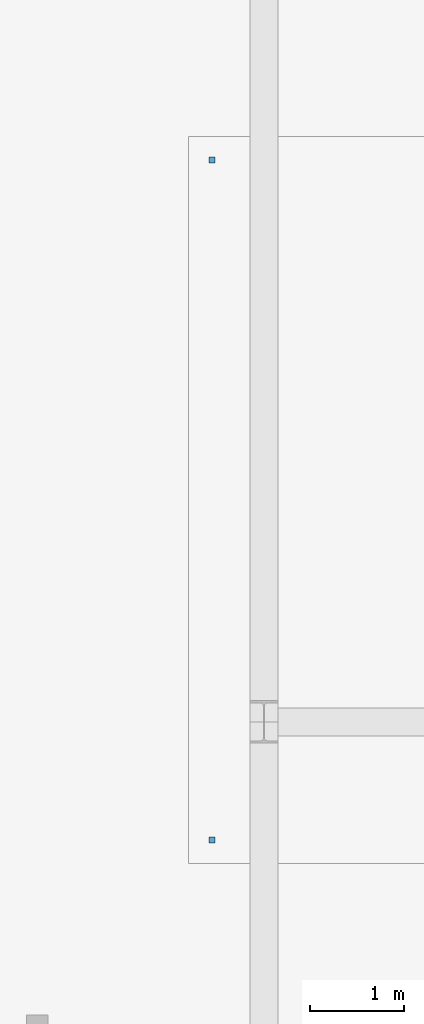
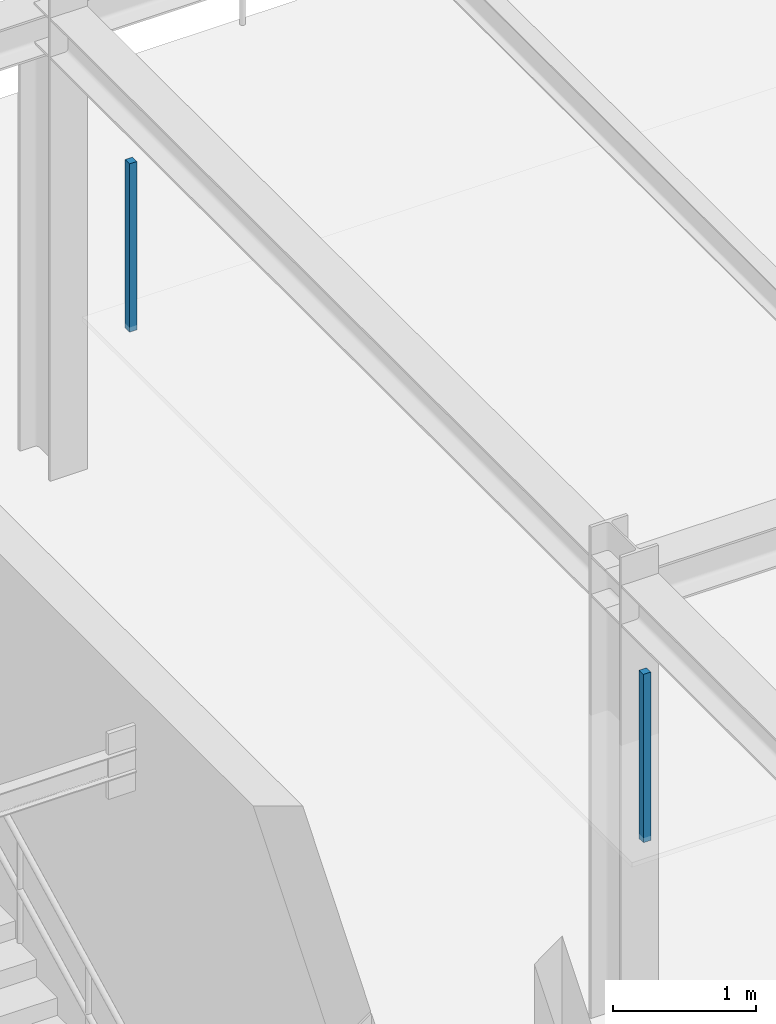
# One storey, part 93 of 124: 2 discrete accessories.
"""IFC4 building model written with IfcOpenShell, lengths in metres."""

from ifc_helpers import new_model, si_unit, direction, frame, origin, origin_2d, place, context, subcontext, project, spatial, rectangle, extrude, material, type_object, element, save


model = new_model("IFC4")

# Units and contexts
model_context = context("Model", 3, precision=1e-05, world=origin(), true_north=direction((0.0, 1.0)))
body_context = subcontext(model_context, "Body", "Model", "MODEL_VIEW")
ifc_project = project(units=[si_unit("LENGTHUNIT", "METRE"), si_unit("AREAUNIT", "SQUARE_METRE"), si_unit("VOLUMEUNIT", "CUBIC_METRE"), si_unit("PLANEANGLEUNIT", "RADIAN"), si_unit("MASSUNIT", "GRAM", prefix="KILO")], contexts=[model_context])

# Site, building, storey
site_placement = place(None, origin())
site = spatial("IfcSite", under=ifc_project, at=site_placement, CompositionType="ELEMENT")
building_placement = place(site_placement, origin())
building = spatial("IfcBuilding", under=site, at=building_placement, Name="Sundkrona Museum", CompositionType="ELEMENT")
storey_placement = place(building_placement, frame((0.0, 0.0, 17.60009765625)))
storey = spatial("IfcBuildingStorey", under=building, at=storey_placement, Name="L03", CompositionType="ELEMENT", Elevation=17.60009765625)

# Discrete accessories
ifc_material = material(Name="Stainless Steel EN 1.4404 Cleat", Category="steel")
discrete_accessory_type = type_object("IfcDiscreteAccessoryType", Name="BRK-FIN-01", PredefinedType="BRACKET", material=ifc_material)
for number, where, z_axis, x_axis, name in (
    (1, (127.449951171875, 6.75, 2.550048828125), (0.0, 0.0, 1.0), (1.0, 0.0, 0.0), "L03 Evolutionary Biology Gallery Ceiling Hanger 1"),
    (2, (127.449951171875, 13.949951171875, 2.550048828125), (0.0, 0.0, 1.0), (1.0, 0.0, 0.0), "L03 Evolutionary Biology Gallery Ceiling Hanger 4"),
):
    element("IfcDiscreteAccessory", number, at=place(storey_placement, frame(where, z_axis=z_axis, x_axis=x_axis)), inside=storey, type_object=discrete_accessory_type, Name=name, PredefinedType="BRACKET", context=body_context, shape_type="SweptSolid", body=[
        extrude(rectangle(XDim=0.06005859375, YDim=0.06005859375, at=origin_2d()), origin(), (0.0, 0.0, 1.0), 1.43994140625),
    ])

save(model, "model.ifc")
